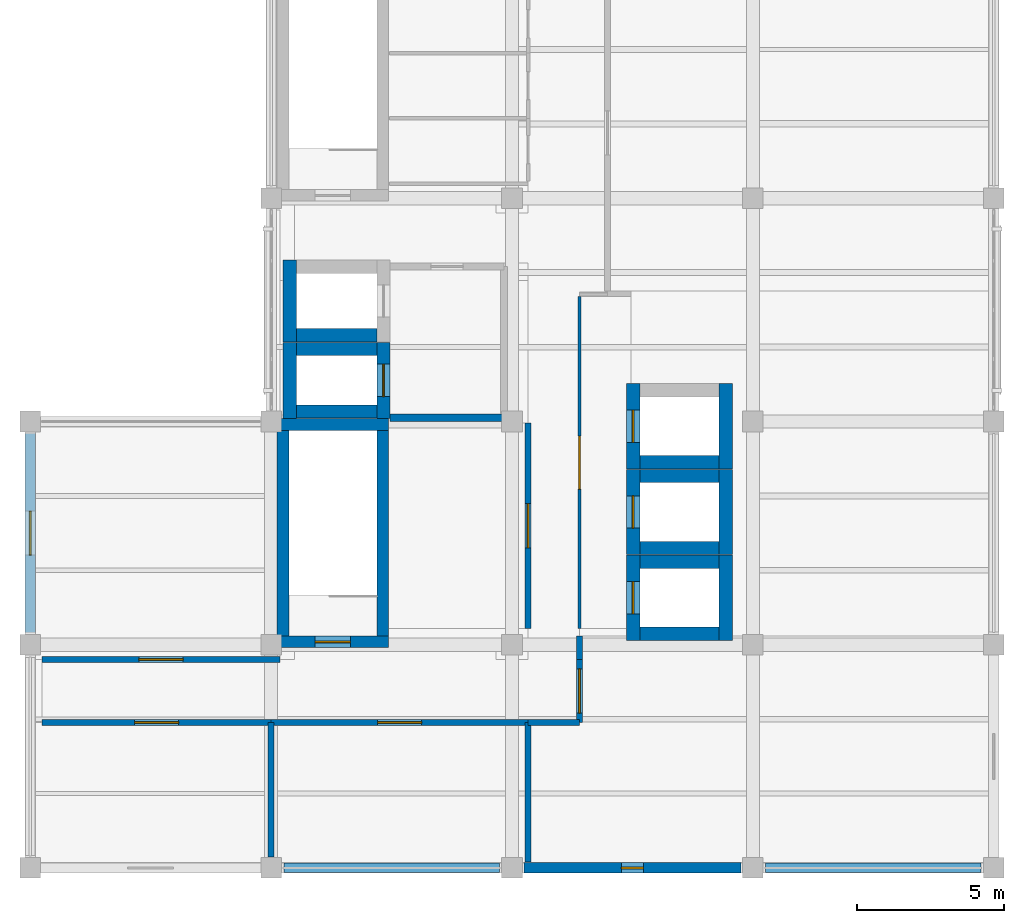
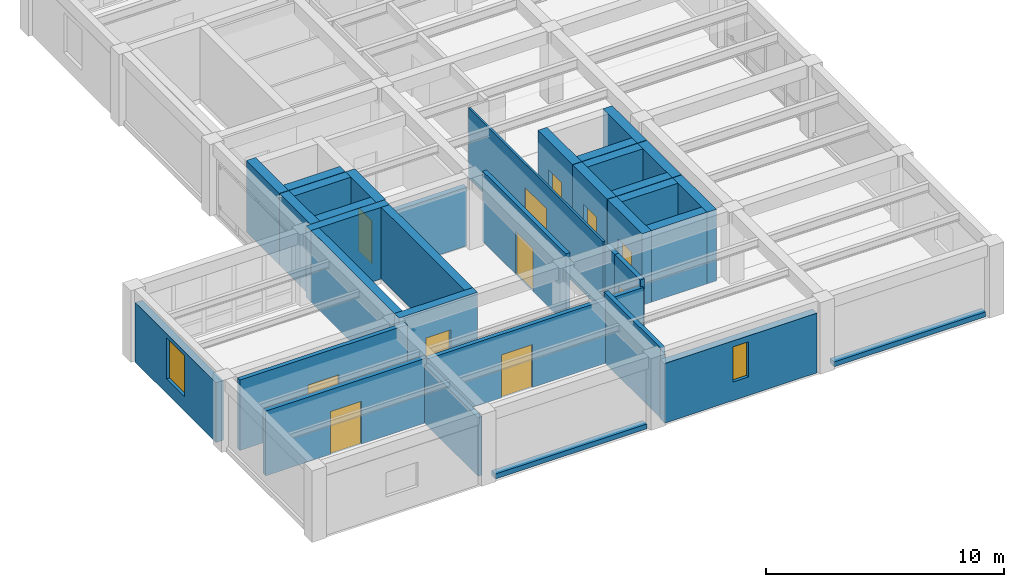
# One storey, part 6 of 8: 36 walls, 11 doors, 2 windows, 13 openings.
"""IFC4 building model written with IfcOpenShell, lengths in metres."""

import ifcopenshell
import ifcopenshell.guid

model = None  # the IFC model being written
_history = None  # IfcOwnerHistory: only IFC2X3 demands one
_inside = {}  # id of a spatial element -> (the spatial element, [elements in it])
_under = {}  # id of a project, library or spatial element -> (it, [spatial elements below it])
_declared = {}  # id of a project -> (the project, [libraries it declares])
_typed = {}  # id of a type object -> (the type object, [elements of that type])
_made_of = {}  # id of a material, layer set ... -> (it, [elements and type objects made of it])


def new_model(schema):
    """Start an empty IFC model of exactly this schema.

    Asked for "IFC4X3", IfcOpenShell would pick the latest addendum, in which some entities
    have other attributes; the version numbers below select the first issue.
    IFC2X3 requires an IfcOwnerHistory on every rooted entity: one is made here for all.
    """
    global model, _history
    if schema == "IFC4X3":
        model = ifcopenshell.file(schema_version=(4, 3, 0, 0))
    else:
        model = ifcopenshell.file(schema=schema)
    _inside.clear()
    _under.clear()
    _declared.clear()
    _typed.clear()
    _made_of.clear()
    _history = None
    if model.schema == "IFC2X3":
        org = make("IfcOrganization", Name="unknown")
        user = make(
            "IfcPersonAndOrganization",
            ThePerson=make("IfcPerson", FamilyName="unknown"),
            TheOrganization=org,
        )
        app = make(
            "IfcApplication",
            ApplicationDeveloper=org,
            Version="unknown",
            ApplicationFullName="unknown",
            ApplicationIdentifier="unknown",
        )
        _history = make(
            "IfcOwnerHistory",
            OwningUser=user,
            OwningApplication=app,
            ChangeAction="ADDED",
            CreationDate=0,
        )
    return model


def make(cls, **values):
    """One entity of the class cls with the attributes given. An attribute that is None is left unset."""
    return model.create_entity(
        cls, **{name: value for name, value in values.items() if value is not None}
    )


def rooted(cls, **values):
    """An entity with a GlobalId (a new one), such as an element, a storey or a relation."""
    return make(cls, GlobalId=ifcopenshell.guid.new(), OwnerHistory=_history, **values)


def si_unit(unit_type, name, prefix=None):
    """IfcSIUnit, for example si_unit("LENGTHUNIT", "METRE", prefix="MILLI")."""
    return make("IfcSIUnit", UnitType=unit_type, Prefix=prefix, Name=name)


def assignment(units):
    """IfcUnitAssignment: the units of a project."""
    return None if units is None else make("IfcUnitAssignment", Units=units)


def point(xyz):
    """IfcCartesianPoint."""
    return None if xyz is None else make("IfcCartesianPoint", Coordinates=xyz)


def direction(xyz):
    """IfcDirection."""
    return None if xyz is None else make("IfcDirection", DirectionRatios=xyz)


def frame(location, z_axis=None, x_axis=None):
    """IfcAxis2Placement3D, a coordinate frame: its origin and axes. An axis left out is left unset."""
    return make(
        "IfcAxis2Placement3D",
        Location=point(location),
        Axis=direction(z_axis),
        RefDirection=direction(x_axis),
    )


def frame_2d(location, x_axis=None):
    """IfcAxis2Placement2D, a coordinate frame in the plane: its origin and x axis."""
    return make(
        "IfcAxis2Placement2D", Location=point(location), RefDirection=direction(x_axis)
    )


def origin():
    """The frame at (0, 0, 0) with its axes left unset."""
    return frame((0.0, 0.0, 0.0))


def place(relative_to, where):
    """IfcLocalPlacement: puts the frame where relative to a parent placement (None: the world)."""
    return make(
        "IfcLocalPlacement", PlacementRelTo=relative_to, RelativePlacement=where
    )


def context(
    kind, dimensions, precision=None, world=None, true_north=None, identifier=None
):
    """IfcGeometricRepresentationContext, for example the 3D "Model" context."""
    return make(
        "IfcGeometricRepresentationContext",
        ContextIdentifier=identifier,
        ContextType=kind,
        CoordinateSpaceDimension=dimensions,
        Precision=precision,
        WorldCoordinateSystem=world,
        TrueNorth=true_north,
    )


def subcontext(parent, identifier, kind, view, scale=None):
    """IfcGeometricRepresentationSubContext, for example "Body" below "Model"."""
    return make(
        "IfcGeometricRepresentationSubContext",
        ContextIdentifier=identifier,
        ContextType=kind,
        ParentContext=parent,
        TargetScale=scale,
        TargetView=view,
    )


def project(units=None, contexts=None):
    """IfcProject with its units and contexts."""
    return rooted(
        "IfcProject",
        Name="project",
        RepresentationContexts=contexts,
        UnitsInContext=assignment(units),
    )


def spatial(cls, under=None, at=None, **own):
    """A site, building, storey or space (cls), placed at a placement, below another one or the project."""
    s = rooted(cls, ObjectPlacement=at, **own)
    if under is not None:
        _under.setdefault(under.id(), (under, []))[1].append(s)
    return s


def profile(cls, at=None, kind="AREA", **sizes):
    """A parametric profile (cls). Its sizes go by their IFC names, for example OverallWidth=200.0."""
    return make(cls, ProfileType=kind, Position=at, **sizes)


def rectangle(**sizes):
    """IfcRectangleProfileDef."""
    return profile("IfcRectangleProfileDef", **sizes)


def extrude(swept, where, along, depth):
    """IfcExtrudedAreaSolid: the profile swept, set in the frame where, extruded along a direction by depth."""
    return make(
        "IfcExtrudedAreaSolid",
        SweptArea=swept,
        Position=where,
        ExtrudedDirection=direction(along),
        Depth=depth,
    )


def shape(context_of_items, identifier, shape_type, items):
    """IfcShapeRepresentation: the items that make up one representation, for example the "Body"."""
    return make(
        "IfcShapeRepresentation",
        ContextOfItems=context_of_items,
        RepresentationIdentifier=identifier,
        RepresentationType=shape_type,
        Items=items,
    )


def material(Name=None, Category=None):
    """IfcMaterial."""
    return make("IfcMaterial", Name=Name, Category=Category)


def layer(
    of_material, thickness, ventilated=None, Name=None, Category=None, Priority=None
):
    """IfcMaterialLayer: one layer of a wall or slab, of a material (None: an air gap)."""
    return make(
        "IfcMaterialLayer",
        Material=of_material,
        LayerThickness=thickness,
        IsVentilated=ventilated,
        Name=Name,
        Category=Category,
        Priority=Priority,
    )


def layer_set(layers, Name=None):
    """IfcMaterialLayerSet."""
    return make("IfcMaterialLayerSet", MaterialLayers=layers, LayerSetName=Name)


def made_of(thing, what):
    """Note that an element or type object is made of a material, layer set ...; save() writes the relation."""
    if what is not None:
        _made_of.setdefault(what.id(), (what, []))[1].append(thing)
    return thing


def type_object(cls, material=None, **own):
    """A type object (cls), such as IfcWallType, which elements share."""
    return made_of(rooted(cls, **own), material)


def element(
    cls,
    number,
    at=None,
    inside=None,
    cuts=None,
    type_object=None,
    material=None,
    context=None,
    identifier="Body",
    shape_type=None,
    held_by="IfcProductDefinitionShape",
    body=None,
    shapes=None,
    **own,
):
    """One element of the class cls, such as IfcWall. Its Tag is "e" and its number.

    at: its placement. inside: the storey or other place that contains it. cuts: it is an
    opening in that element (IfcRelVoidsElement). A single representation is given by context,
    identifier, shape_type and body (its items); several are given by shapes. held_by: the class
    of the entity that holds the representations. save() writes the other relations.
    """
    e = rooted(cls, Tag="e%d" % number, ObjectPlacement=at, **own)
    if body is not None:
        shapes = [shape(context, identifier, shape_type, body)]
    if shapes is not None:
        e.Representation = make(held_by, Representations=shapes)
    if inside is not None:
        _inside.setdefault(inside.id(), (inside, []))[1].append(e)
    if cuts is not None:
        rooted(
            "IfcRelVoidsElement", RelatingBuildingElement=cuts, RelatedOpeningElement=e
        )
    if type_object is not None:
        _typed.setdefault(type_object.id(), (type_object, []))[1].append(e)
    return made_of(e, material)


def fill(opening, filler):
    """IfcRelFillsElement: the door or window that sits in an opening."""
    return rooted(
        "IfcRelFillsElement",
        RelatingOpeningElement=opening,
        RelatedBuildingElement=filler,
    )


def aggregate(whole, parts):
    """IfcRelAggregates: a whole, such as a stair, and the parts it consists of."""
    return rooted("IfcRelAggregates", RelatingObject=whole, RelatedObjects=parts)


def save(model, path):
    """Write the relations noted so far, then the file.

    IfcRelAggregates (storeys below a building ...), IfcRelContainedInSpatialStructure (elements
    in a storey), IfcRelDefinesByType, IfcRelAssociatesMaterial and IfcRelDeclares: one each for
    every whole, place, type object, material and project.
    """
    for whole, parts in _under.values():
        aggregate(whole, parts)
    for where, things in _inside.values():
        rooted(
            "IfcRelContainedInSpatialStructure",
            RelatedElements=things,
            RelatingStructure=where,
        )
    for kind, things in _typed.values():
        rooted("IfcRelDefinesByType", RelatedObjects=things, RelatingType=kind)
    for what, things in _made_of.values():
        rooted("IfcRelAssociatesMaterial", RelatedObjects=things, RelatingMaterial=what)
    for by, libraries in _declared.values():
        rooted("IfcRelDeclares", RelatingContext=by, RelatedDefinitions=libraries)
    model.write(path)


model = new_model("IFC4")

# Units and contexts
model_context = context("Model", 3, precision=1e-05, world=origin(), true_north=direction((0.0, 1.0)))
body_context = subcontext(model_context, "Body", "Model", "MODEL_VIEW")
ifc_project = project(units=[si_unit("LENGTHUNIT", "METRE"), si_unit("AREAUNIT", "SQUARE_METRE"), si_unit("VOLUMEUNIT", "CUBIC_METRE"), si_unit("PLANEANGLEUNIT", "RADIAN"), si_unit("MASSUNIT", "GRAM", prefix="KILO")], contexts=[model_context])

# Site, building, storey
site_placement = place(None, origin())
site = spatial("IfcSite", under=ifc_project, at=site_placement, CompositionType="ELEMENT")
building_placement = place(site_placement, origin())
building = spatial("IfcBuilding", under=site, at=building_placement, Name="Qandaris Square Conservatory and Botanical Centre", CompositionType="ELEMENT")
storey_placement = place(building_placement, frame((0.0, 0.0, 70.199951171875)))
storey = spatial("IfcBuildingStorey", under=building, at=storey_placement, Name="L16", CompositionType="ELEMENT", Elevation=70.199951171875)

# Wall, opening, window
ifc_material_1 = material(Name="Precast concrete C40/50", Category="concrete")
ifc_layer_1 = layer(ifc_material_1, 0.360107421875)
ifc_layer_set_1 = layer_set([ifc_layer_1], Name="Precast concrete C40/50")
wall_type_1 = type_object("IfcWallType", Name="Architectural Precast Cladding Wall 360mm", PredefinedType="SOLIDWALL", material=ifc_layer_set_1)
wall_1_placement = place(storey_placement, frame((147.81005859375, 16.60009765625, 0.0), z_axis=(0.0, 0.0, 1.0), x_axis=(1.0, 0.0, 0.0)))
wall_1 = element("IfcWall", 1, at=wall_1_placement, inside=storey, type_object=wall_type_1, Name="Exterior Wall EW-TWR-L16-1-3", PredefinedType="SOLIDWALL", context=body_context, shape_type="SweptSolid", body=[
    extrude(rectangle(XDim=7.3798828125, YDim=0.360107421875, at=frame_2d((3.68994140625, 0.0))), origin(), (0.0, 0.0, 1.0), 3.054931640625),
])
opening_1_placement = place(wall_1_placement, frame((3.31494140625, 0.0, 0.949951171875)))
opening_1 = element("IfcOpeningElement", 2, at=opening_1_placement, cuts=wall_1, Name="Opening WN-03", PredefinedType="OPENING", context=body_context, shape_type="SweptSolid", body=[
    extrude(rectangle(XDim=0.75, YDim=1.800048828125, at=frame_2d((0.375, 0.89990234375))), frame((0.0, 0.19189453125, 0.0), z_axis=(0.0, -1.0, 0.0), x_axis=(1.0, 0.0, 0.0)), (0.0, 0.0, 1.0), 0.384033203125),
])
ifc_material_2 = material(Name="Tempered Low-E Glass", Category="glass")
window_type_1 = type_object("IfcWindowType", Name="Herbarium UV-Filtered Slot Window 750x1800", PartitioningType="SINGLE_PANEL", PredefinedType="WINDOW", material=ifc_material_2)
window_1_placement = place(opening_1_placement, origin())
window_1 = element("IfcWindow", 3, at=window_1_placement, inside=storey, type_object=window_type_1, Name="Window EW-TWR-L16-1-3", OverallHeight=1.800048828125, OverallWidth=0.75, PartitioningType="SINGLE_PANEL", PredefinedType="WINDOW", context=body_context, shape_type="SweptSolid", body=[
    extrude(rectangle(XDim=0.75, YDim=1.800048828125, at=frame_2d((0.375, 0.89990234375))), frame((0.0, 0.030029296875, 0.0), z_axis=(0.0, -1.0, 0.0), x_axis=(1.0, 0.0, 0.0)), (0.0, 0.0, 1.0), 0.06005859375),
])
fill(opening_1, window_1)

wall_2_placement = place(storey_placement, frame((131.0, 31.389892578125, 0.0), z_axis=(0.0, 0.0, 1.0), x_axis=(0.0, -1.0, 0.0)))
wall_2 = element("IfcWall", 4, at=wall_2_placement, inside=storey, type_object=wall_type_1, Name="Exterior Wall EW-TWR-L16-6-1", PredefinedType="SOLIDWALL", context=body_context, shape_type="SweptSolid", body=[
    extrude(rectangle(XDim=6.77978515625, YDim=0.360107421875, at=frame_2d((3.389892578125, 0.0))), origin(), (0.0, 0.0, 1.0), 3.054931640625),
])
opening_2_placement = place(wall_2_placement, frame((2.639892578125, 0.0, 0.75)))
opening_2 = element("IfcOpeningElement", 5, at=opening_2_placement, cuts=wall_2, Name="Opening WN-02", PredefinedType="OPENING", context=body_context, shape_type="SweptSolid", body=[
    extrude(rectangle(XDim=1.5, YDim=2.10009765625, at=frame_2d((0.75, 1.050048828125))), frame((0.0, 0.19189453125, 0.0), z_axis=(0.0, -1.0, 0.0), x_axis=(1.0, 0.0, 0.0)), (0.0, 0.0, 1.0), 0.384033203125),
])
window_type_2 = type_object("IfcWindowType", Name="Deep-Set Paired Research Window 1500x2100", PartitioningType="DOUBLE_PANEL_VERTICAL", PredefinedType="WINDOW", material=ifc_material_2)
window_2_placement = place(opening_2_placement, origin())
window_2 = element("IfcWindow", 6, at=window_2_placement, inside=storey, type_object=window_type_2, Name="Window EW-TWR-L16-6-1", OverallHeight=2.10009765625, OverallWidth=1.5, PartitioningType="DOUBLE_PANEL_VERTICAL", PredefinedType="WINDOW", context=body_context, shape_type="SweptSolid", body=[
    extrude(rectangle(XDim=1.5, YDim=2.10009765625, at=frame_2d((0.75, 1.050048828125))), frame((0.0, 0.030029296875, 0.0), z_axis=(0.0, -1.0, 0.0), x_axis=(1.0, 0.0, 0.0)), (0.0, 0.0, 1.0), 0.06005859375),
])
fill(opening_2, window_2)

# Wall
ifc_material_3 = material(Name="Concrete C40/50", Category="concrete")
ifc_layer_2 = layer(ifc_material_3, 0.25)
ifc_layer_set_2 = layer_set([ifc_layer_2], Name="Concrete C40/50")
wall_type_2 = type_object("IfcWallType", Name="Firefighting Lobby Compartment Wall 250mm", PredefinedType="SOLIDWALL", material=ifc_layer_set_2)
wall_3_placement = place(storey_placement, frame((143.25, 31.925048828125, 0.0), z_axis=(0.0, 0.0, 1.0), x_axis=(1.0, 0.0, 0.0)))
element("IfcWall", 7, at=wall_3_placement, inside=storey, type_object=wall_type_2, Name="Firefighting Lobby Wall South (L16)", PredefinedType="SOLIDWALL", context=body_context, shape_type="SweptSolid", body=[
    extrude(rectangle(XDim=3.875, YDim=0.25, at=frame_2d((1.9375, 0.0))), origin(), (0.0, 0.0, 1.0), 3.005126953125),
])

# Wall, opening, door
ifc_layer_3 = layer(ifc_material_2, 0.10009765625)
ifc_layer_set_3 = layer_set([ifc_layer_3], Name="Tempered Low-E Glass")
wall_type_3 = type_object("IfcWallType", Name="Framed Acoustic Glazed Gallery Screen 100mm", PredefinedType="PARTITIONING", material=ifc_layer_set_3)
wall_4_placement = place(storey_placement, frame((149.699951171875, 24.75, 0.0), z_axis=(0.0, 0.0, 1.0), x_axis=(0.0, 1.0, 0.0)))
wall_4 = element("IfcWall", 8, at=wall_4_placement, inside=storey, type_object=wall_type_3, Name="Interior Partition IW-L16-0488", PredefinedType="PARTITIONING", context=body_context, shape_type="SweptSolid", body=[
    extrude(rectangle(XDim=11.300048828125, YDim=0.10009765625, at=frame_2d((5.64990234375, 0.0))), origin(), (0.0, 0.0, 1.0), 3.60498046875),
])
opening_3_placement = place(wall_4_placement, frame((4.75, 0.0, 0.0)))
opening_3 = element("IfcOpeningElement", 9, at=opening_3_placement, cuts=wall_4, Name="Opening D-GL1", PredefinedType="OPENING", context=body_context, shape_type="SweptSolid", body=[
    extrude(rectangle(XDim=1.800048828125, YDim=2.39990234375, at=frame_2d((0.89990234375, 1.199951171875))), frame((0.0, 0.06201171875, 0.0), z_axis=(0.0, -1.0, 0.0), x_axis=(1.0, 0.0, 0.0)), (0.0, 0.0, 1.0), 0.1240234375),
])
ifc_material_4 = material(Name="Anodised Aluminium", Category="aluminium")
door_type_1 = type_object("IfcDoorType", Name="Visitor Gallery Glazed Double Door 1800x2400", OperationType="DOUBLE_DOOR_SINGLE_SWING", PredefinedType="DOOR", material=ifc_material_4)
door_1_placement = place(opening_3_placement, frame((1.800048828125, 0.0, 0.0), z_axis=(0.0, 0.0, 1.0), x_axis=(-1.0, 0.0, 0.0)))
door_1 = element("IfcDoor", 10, at=door_1_placement, inside=storey, type_object=door_type_1, Name="DR-0449 Main Circulation Corridor L16 Door", OperationType="DOUBLE_DOOR_SINGLE_SWING", OverallHeight=2.39990234375, OverallWidth=1.800048828125, PredefinedType="DOOR", context=body_context, shape_type="SweptSolid", body=[
    extrude(rectangle(XDim=1.800048828125, YDim=2.39990234375, at=frame_2d((0.89990234375, 1.199951171875))), frame((0.0, 0.02490234375, 0.0), z_axis=(0.0, -1.0, 0.0), x_axis=(1.0, 0.0, 0.0)), (0.0, 0.0, 1.0), 0.050048828125),
])
fill(opening_3, door_1)

ifc_layer_4 = layer(ifc_material_3, 0.199951171875)
ifc_layer_set_4 = layer_set([ifc_layer_4], Name="Concrete C40/50")
wall_type_4 = type_object("IfcWallType", Name="Herbarium & Plant Compartment Wall 200mm", PredefinedType="PARTITIONING", material=ifc_layer_set_4)
wall_5_placement = place(storey_placement, frame((147.949951171875, 31.75, 0.0), z_axis=(0.0, 0.0, 1.0), x_axis=(0.0, -1.0, 0.0)))
wall_5 = element("IfcWall", 11, at=wall_5_placement, inside=storey, type_object=wall_type_4, Name="Interior Partition IW-L16-0487", PredefinedType="PARTITIONING", context=body_context, shape_type="SweptSolid", body=[
    extrude(rectangle(XDim=7.0, YDim=0.199951171875, at=frame_2d((3.5, 0.0))), origin(), (0.0, 0.0, 1.0), 3.60498046875),
])
opening_4_placement = place(wall_5_placement, frame((2.75, 0.0, 0.0)))
opening_4 = element("IfcOpeningElement", 12, at=opening_4_placement, cuts=wall_5, Name="Opening D-PLT1", PredefinedType="OPENING", context=body_context, shape_type="SweptSolid", body=[
    extrude(rectangle(XDim=1.5, YDim=2.199951171875, at=frame_2d((0.75, 1.10009765625))), frame((0.0, 0.11181640625, 0.0), z_axis=(0.0, -1.0, 0.0), x_axis=(1.0, 0.0, 0.0)), (0.0, 0.0, 1.0), 0.223876953125),
])
ifc_material_5 = material(Name="Steel S355", Category="steel")
door_type_2 = type_object("IfcDoorType", Name="Plant & Riser Double Fire Door 1500x2200", OperationType="DOUBLE_DOOR_SINGLE_SWING", PredefinedType="DOOR", material=ifc_material_5)
door_2_placement = place(opening_4_placement, origin())
door_2 = element("IfcDoor", 13, at=door_2_placement, inside=storey, type_object=door_type_2, Name="DR-0452 Electrical and Telecom Riser Room L16 Door", OperationType="DOUBLE_DOOR_SINGLE_SWING", OverallHeight=2.199951171875, OverallWidth=1.5, PredefinedType="DOOR", context=body_context, shape_type="SweptSolid", body=[
    extrude(rectangle(XDim=1.5, YDim=2.199951171875, at=frame_2d((0.75, 1.10009765625))), frame((0.0, 0.02490234375, 0.0), z_axis=(0.0, -1.0, 0.0), x_axis=(1.0, 0.0, 0.0)), (0.0, 0.0, 1.0), 0.050048828125),
])
fill(opening_4, door_2)

wall_6_placement = place(storey_placement, frame((139.199951171875, 21.550048828125, 0.0), z_axis=(0.0, 0.0, 1.0), x_axis=(-1.0, 0.0, 0.0)))
wall_6 = element("IfcWall", 14, at=wall_6_placement, inside=storey, type_object=wall_type_4, Name="Interior Partition IW-L16-0496", PredefinedType="PARTITIONING", context=body_context, shape_type="SweptSolid", body=[
    extrude(rectangle(XDim=7.800048828125, YDim=0.199951171875, at=frame_2d((3.89990234375, 0.0))), origin(), (0.0, 0.0, 1.0), 3.31494140625),
])
opening_5_placement = place(wall_6_placement, frame((3.14990234375, 0.0, 0.0)))
opening_5 = element("IfcOpeningElement", 15, at=opening_5_placement, cuts=wall_6, Name="Opening D-PLT1", PredefinedType="OPENING", context=body_context, shape_type="SweptSolid", body=[
    extrude(rectangle(XDim=1.5, YDim=2.199951171875, at=frame_2d((0.75, 1.10009765625))), frame((0.0, 0.11181640625, 0.0), z_axis=(0.0, -1.0, 0.0), x_axis=(1.0, 0.0, 0.0)), (0.0, 0.0, 1.0), 0.223876953125),
])
door_3_placement = place(opening_5_placement, origin())
door_3 = element("IfcDoor", 16, at=door_3_placement, inside=storey, type_object=door_type_2, Name="DR-0453 Mechanical AHU Plant Research Laboratory Door", OperationType="DOUBLE_DOOR_SINGLE_SWING", OverallHeight=2.199951171875, OverallWidth=1.5, PredefinedType="DOOR", context=body_context, shape_type="SweptSolid", body=[
    extrude(rectangle(XDim=1.5, YDim=2.199951171875, at=frame_2d((0.75, 1.10009765625))), frame((0.0, 0.02490234375, 0.0), z_axis=(0.0, -1.0, 0.0), x_axis=(1.0, 0.0, 0.0)), (0.0, 0.0, 1.0), 0.050048828125),
])
fill(opening_5, door_3)

wall_7_placement = place(storey_placement, frame((147.949951171875, 21.550048828125, 0.0), z_axis=(0.0, 0.0, 1.0), x_axis=(-1.0, 0.0, 0.0)))
wall_7 = element("IfcWall", 17, at=wall_7_placement, inside=storey, type_object=wall_type_4, Name="Interior Partition IW-L16-0497", PredefinedType="PARTITIONING", context=body_context, shape_type="SweptSolid", body=[
    extrude(rectangle(XDim=8.75, YDim=0.199951171875, at=frame_2d((4.375, 0.0))), origin(), (0.0, 0.0, 1.0), 3.2451171875),
])
opening_6_placement = place(wall_7_placement, frame((3.625, 0.0, 0.0)))
opening_6 = element("IfcOpeningElement", 18, at=opening_6_placement, cuts=wall_7, Name="Opening D-PLT1", PredefinedType="OPENING", context=body_context, shape_type="SweptSolid", body=[
    extrude(rectangle(XDim=1.5, YDim=2.199951171875, at=frame_2d((0.75, 1.10009765625))), frame((0.0, 0.11181640625, 0.0), z_axis=(0.0, -1.0, 0.0), x_axis=(1.0, 0.0, 0.0)), (0.0, 0.0, 1.0), 0.223876953125),
])
door_4_placement = place(opening_6_placement, frame((1.5, 0.0, 0.0), z_axis=(0.0, 0.0, 1.0), x_axis=(-1.0, 0.0, 0.0)))
door_4 = element("IfcDoor", 19, at=door_4_placement, inside=storey, type_object=door_type_2, Name="DR-0454 Heat Recovery Plant Suite Door", OperationType="DOUBLE_DOOR_SINGLE_SWING", OverallHeight=2.199951171875, OverallWidth=1.5, PredefinedType="DOOR", context=body_context, shape_type="SweptSolid", body=[
    extrude(rectangle(XDim=1.5, YDim=2.199951171875, at=frame_2d((0.75, 1.10009765625))), frame((0.0, 0.02490234375, 0.0), z_axis=(0.0, -1.0, 0.0), x_axis=(1.0, 0.0, 0.0)), (0.0, 0.0, 1.0), 0.050048828125),
])
fill(opening_6, door_4)

wall_8_placement = place(storey_placement, frame((131.39990234375, 23.699951171875, 0.0), z_axis=(0.0, 0.0, 1.0), x_axis=(1.0, 0.0, 0.0)))
wall_8 = element("IfcWall", 20, at=wall_8_placement, inside=storey, type_object=wall_type_4, Name="Interior Partition IW-L16-0498", PredefinedType="PARTITIONING", context=body_context, shape_type="SweptSolid", body=[
    extrude(rectangle(XDim=8.10009765625, YDim=0.199951171875, at=frame_2d((4.050048828125, 0.0))), origin(), (0.0, 0.0, 1.0), 3.60498046875),
])
opening_7_placement = place(wall_8_placement, frame((3.300048828125, 0.0, 0.0)))
opening_7 = element("IfcOpeningElement", 21, at=opening_7_placement, cuts=wall_8, Name="Opening D-PLT1", PredefinedType="OPENING", context=body_context, shape_type="SweptSolid", body=[
    extrude(rectangle(XDim=1.5, YDim=2.199951171875, at=frame_2d((0.75, 1.10009765625))), frame((0.0, 0.11181640625, 0.0), z_axis=(0.0, -1.0, 0.0), x_axis=(1.0, 0.0, 0.0)), (0.0, 0.0, 1.0), 0.223876953125),
])
door_5_placement = place(opening_7_placement, origin())
door_5 = element("IfcDoor", 22, at=door_5_placement, inside=storey, type_object=door_type_2, Name="DR-0455 Building Management Research Laboratory Door", OperationType="DOUBLE_DOOR_SINGLE_SWING", OverallHeight=2.199951171875, OverallWidth=1.5, PredefinedType="DOOR", context=body_context, shape_type="SweptSolid", body=[
    extrude(rectangle(XDim=1.5, YDim=2.199951171875, at=frame_2d((0.75, 1.10009765625))), frame((0.0, 0.02490234375, 0.0), z_axis=(0.0, -1.0, 0.0), x_axis=(1.0, 0.0, 0.0)), (0.0, 0.0, 1.0), 0.050048828125),
])
fill(opening_7, door_5)

# Wall
wall_9_placement = place(storey_placement, frame((149.699951171875, 24.5, 0.0), z_axis=(0.0, 0.0, 1.0), x_axis=(0.0, -1.0, 0.0)))
element("IfcWall", 23, at=wall_9_placement, inside=storey, type_object=wall_type_4, Name="Interior Partition IW-L16-0499", PredefinedType="PARTITIONING", context=body_context, shape_type="SweptSolid", body=[
    extrude(rectangle(XDim=0.800048828125, YDim=0.199951171875, at=frame_2d((0.39990234375, 0.0))), origin(), (0.0, 0.0, 1.0), 3.60498046875),
])

# Wall, opening, door
wall_10_placement = place(storey_placement, frame((149.699951171875, 23.699951171875, 0.0), z_axis=(0.0, 0.0, 1.0), x_axis=(0.0, -1.0, 0.0)))
wall_10 = element("IfcWall", 24, at=wall_10_placement, inside=storey, type_object=wall_type_4, Name="Interior Partition IW-L16-0500", PredefinedType="PARTITIONING", context=body_context, shape_type="SweptSolid", body=[
    extrude(rectangle(XDim=2.14990234375, YDim=0.199951171875, at=frame_2d((1.074951171875, 0.0))), origin(), (0.0, 0.0, 1.0), 3.60498046875),
])
opening_8_placement = place(wall_10_placement, frame((0.324951171875, 0.0, 0.0)))
opening_8 = element("IfcOpeningElement", 25, at=opening_8_placement, cuts=wall_10, Name="Opening D-PLT1", PredefinedType="OPENING", context=body_context, shape_type="SweptSolid", body=[
    extrude(rectangle(XDim=1.5, YDim=2.199951171875, at=frame_2d((0.75, 1.10009765625))), frame((0.0, 0.11181640625, 0.0), z_axis=(0.0, -1.0, 0.0), x_axis=(1.0, 0.0, 0.0)), (0.0, 0.0, 1.0), 0.223876953125),
])
door_6_placement = place(opening_8_placement, frame((1.5, 0.0, 0.0), z_axis=(0.0, 0.0, 1.0), x_axis=(-1.0, 0.0, 0.0)))
door_6 = element("IfcDoor", 26, at=door_6_placement, inside=storey, type_object=door_type_2, Name="DR-0456 Floor L16 Instrument and Balance Room Door", OperationType="DOUBLE_DOOR_SINGLE_SWING", OverallHeight=2.199951171875, OverallWidth=1.5, PredefinedType="DOOR", context=body_context, shape_type="SweptSolid", body=[
    extrude(rectangle(XDim=1.5, YDim=2.199951171875, at=frame_2d((0.75, 1.10009765625))), frame((0.0, 0.02490234375, 0.0), z_axis=(0.0, -1.0, 0.0), x_axis=(1.0, 0.0, 0.0)), (0.0, 0.0, 1.0), 0.050048828125),
])
fill(opening_8, door_6)

# Walls
wall_11_placement = place(storey_placement, frame((149.699951171875, 21.550048828125, 0.0), z_axis=(0.0, 0.0, 1.0), x_axis=(-1.0, 0.0, 0.0)))
element("IfcWall", 27, at=wall_11_placement, inside=storey, type_object=wall_type_4, Name="Interior Partition IW-L16-0501", PredefinedType="PARTITIONING", context=body_context, shape_type="SweptSolid", body=[
    extrude(rectangle(XDim=1.75, YDim=0.199951171875, at=frame_2d((0.875, 0.0))), origin(), (0.0, 0.0, 1.0), 3.2451171875),
])
wall_12_placement = place(storey_placement, frame((139.199951171875, 21.550048828125, 0.0), z_axis=(0.0, 0.0, 1.0), x_axis=(0.0, -1.0, 0.0)))
element("IfcWall", 28, at=wall_12_placement, inside=storey, type_object=wall_type_4, Name="Interior Partition IW-L16-0506", PredefinedType="PARTITIONING", context=body_context, shape_type="SweptSolid", body=[
    extrude(rectangle(XDim=4.580078125, YDim=0.199951171875, at=frame_2d((2.2900390625, 0.0))), origin(), (0.0, 0.0, 1.0), 3.005126953125),
])
wall_13_placement = place(storey_placement, frame((147.949951171875, 21.550048828125, 0.0), z_axis=(0.0, 0.0, 1.0), x_axis=(0.0, -1.0, 0.0)))
element("IfcWall", 29, at=wall_13_placement, inside=storey, type_object=wall_type_4, Name="Interior Partition IW-L16-0507", PredefinedType="PARTITIONING", context=body_context, shape_type="SweptSolid", body=[
    extrude(rectangle(XDim=4.739990234375, YDim=0.199951171875, at=frame_2d((2.3701171875, 0.0))), origin(), (0.0, 0.0, 1.0), 3.60498046875),
])
ifc_material_6 = material(Name="Concrete C50/60", Category="concrete")
ifc_layer_5 = layer(ifc_material_6, 0.449951171875)
ifc_layer_set_5 = layer_set([ifc_layer_5], Name="Concrete C50/60")
wall_type_5 = type_object("IfcWallType", Name="RC Coupled Core Shear Wall 450mm", PredefinedType="SHEAR", material=ifc_layer_set_5)
for number, where, z_axis, x_axis, name in (
    (30, (140.06005859375, 32.135009765625, 0.0), (0.0, 0.0, 1.0), (1.0, 0.0, 0.0), "Lift FFL1 Shaft Wall South (L16)"),
    (31, (140.06005859375, 34.264892578125, 0.0), (0.0, 0.0, 1.0), (1.0, 0.0, 0.0), "Lift FFL1 Shaft Wall North (L16)"),
):
    element("IfcWall", number, at=place(storey_placement, frame(where, z_axis=z_axis, x_axis=x_axis)), inside=storey, type_object=wall_type_5, Name=name, PredefinedType="SHEAR", context=body_context, shape_type="SweptSolid", body=[
        extrude(rectangle(XDim=2.739990234375, YDim=0.449951171875, at=frame_2d((1.3701171875, 0.0))), origin(), (0.0, 0.0, 1.0), 3.670166015625),
    ])
wall_14_placement = place(storey_placement, frame((139.8349609375, 31.909912109375, 0.0), z_axis=(0.0, 0.0, 1.0), x_axis=(0.0, 1.0, 0.0)))
element("IfcWall", 32, at=wall_14_placement, inside=storey, type_object=wall_type_5, Name="Lift FFL1 Shaft Wall West (L16)", PredefinedType="SHEAR", context=body_context, shape_type="SweptSolid", body=[
    extrude(rectangle(XDim=2.580078125, YDim=0.449951171875, at=frame_2d((1.2900390625, 0.0))), origin(), (0.0, 0.0, 1.0), 3.670166015625),
])

# Wall, opening, door
wall_15_placement = place(storey_placement, frame((143.02490234375, 31.909912109375, 0.0), z_axis=(0.0, 0.0, 1.0), x_axis=(0.0, 1.0, 0.0)))
wall_15 = element("IfcWall", 33, at=wall_15_placement, inside=storey, type_object=wall_type_5, Name="Lift FFL1 Shaft Wall East (L16)", PredefinedType="SHEAR", context=body_context, shape_type="SweptSolid", body=[
    extrude(rectangle(XDim=2.580078125, YDim=0.449951171875, at=frame_2d((1.2900390625, 0.0))), origin(), (0.0, 0.0, 1.0), 3.670166015625),
])
opening_9_placement = place(wall_15_placement, frame((0.739990234375, 0.0, 0.0)))
opening_9 = element("IfcOpeningElement", 34, at=opening_9_placement, cuts=wall_15, Name="Opening LD-FFL", PredefinedType="OPENING", context=body_context, shape_type="SweptSolid", body=[
    extrude(rectangle(XDim=1.10009765625, YDim=2.199951171875, at=frame_2d((0.550048828125, 1.10009765625))), frame((0.0, 0.23681640625, 0.0), z_axis=(0.0, -1.0, 0.0), x_axis=(1.0, 0.0, 0.0)), (0.0, 0.0, 1.0), 0.473876953125),
])
door_type_3 = type_object("IfcDoorType", Name="Firefighting Lift Sliding Landing Door 1100x2200", OperationType="DOUBLE_DOOR_SLIDING", PredefinedType="DOOR", material=ifc_material_5)
door_7_placement = place(opening_9_placement, origin())
door_7 = element("IfcDoor", 35, at=door_7_placement, inside=storey, type_object=door_type_3, Name="DR-0463 Lift FFL1 Landing Door (L16)", OperationType="DOUBLE_DOOR_SLIDING", OverallHeight=2.199951171875, OverallWidth=1.10009765625, PredefinedType="DOOR", context=body_context, shape_type="SweptSolid", body=[
    extrude(rectangle(XDim=1.10009765625, YDim=2.199951171875, at=frame_2d((0.550048828125, 1.10009765625))), frame((0.0, 0.02490234375, 0.0), z_axis=(0.0, -1.0, 0.0), x_axis=(1.0, 0.0, 0.0)), (0.0, 0.0, 1.0), 0.050048828125),
])
fill(opening_9, door_7)

# Walls
wall_16_placement = place(storey_placement, frame((140.06005859375, 34.735107421875, 0.0), z_axis=(0.0, 0.0, 1.0), x_axis=(1.0, 0.0, 0.0)))
element("IfcWall", 36, at=wall_16_placement, inside=storey, type_object=wall_type_5, Name="Lift FFL2 Shaft Wall South (L16)", PredefinedType="SHEAR", context=body_context, shape_type="SweptSolid", body=[
    extrude(rectangle(XDim=2.739990234375, YDim=0.449951171875, at=frame_2d((1.3701171875, 0.0))), origin(), (0.0, 0.0, 1.0), 3.670166015625),
])
wall_17_placement = place(storey_placement, frame((139.8349609375, 34.510009765625, 0.0), z_axis=(0.0, 0.0, 1.0), x_axis=(0.0, 1.0, 0.0)))
element("IfcWall", 37, at=wall_17_placement, inside=storey, type_object=wall_type_5, Name="Lift FFL2 Shaft Wall West (L16)", PredefinedType="SHEAR", context=body_context, shape_type="SweptSolid", body=[
    extrude(rectangle(XDim=2.780029296875, YDim=0.449951171875, at=frame_2d((1.39013671875, 0.0))), origin(), (0.0, 0.0, 1.0), 3.670166015625),
])
for number, where, z_axis, x_axis, name in (
    (38, (151.75, 24.574951171875, 0.0), (0.0, 0.0, 1.0), (1.0, 0.0, 0.0), "Lift PL1 Shaft Wall South (L16)"),
    (39, (151.75, 27.02490234375, 0.0), (0.0, 0.0, 1.0), (1.0, 0.0, 0.0), "Lift PL1 Shaft Wall North (L16)"),
):
    element("IfcWall", number, at=place(storey_placement, frame(where, z_axis=z_axis, x_axis=x_axis)), inside=storey, type_object=wall_type_5, Name=name, PredefinedType="SHEAR", context=body_context, shape_type="SweptSolid", body=[
        extrude(rectangle(XDim=2.699951171875, YDim=0.449951171875, at=frame_2d((1.35009765625, 0.0))), origin(), (0.0, 0.0, 1.0), 3.670166015625),
    ])

# Wall, opening, door
wall_18_placement = place(storey_placement, frame((151.52490234375, 24.35009765625, 0.0), z_axis=(0.0, 0.0, 1.0), x_axis=(0.0, 1.0, 0.0)))
wall_18 = element("IfcWall", 40, at=wall_18_placement, inside=storey, type_object=wall_type_5, Name="Lift PL1 Shaft Wall West (L16)", PredefinedType="SHEAR", context=body_context, shape_type="SweptSolid", body=[
    extrude(rectangle(XDim=2.89990234375, YDim=0.449951171875, at=frame_2d((1.449951171875, 0.0))), origin(), (0.0, 0.0, 1.0), 3.670166015625),
])
opening_10_placement = place(wall_18_placement, frame((0.89990234375, 0.0, 0.0)))
opening_10 = element("IfcOpeningElement", 41, at=opening_10_placement, cuts=wall_18, Name="Opening LD-PAX", PredefinedType="OPENING", context=body_context, shape_type="SweptSolid", body=[
    extrude(rectangle(XDim=1.10009765625, YDim=2.199951171875, at=frame_2d((0.550048828125, 1.10009765625))), frame((0.0, 0.23681640625, 0.0), z_axis=(0.0, -1.0, 0.0), x_axis=(1.0, 0.0, 0.0)), (0.0, 0.0, 1.0), 0.473876953125),
])
door_type_4 = type_object("IfcDoorType", Name="Passenger Lift Sliding Landing Door 1100x2200", OperationType="DOUBLE_DOOR_SLIDING", PredefinedType="DOOR", material=ifc_material_4)
door_8_placement = place(opening_10_placement, origin())
door_8 = element("IfcDoor", 42, at=door_8_placement, inside=storey, type_object=door_type_4, Name="DR-0465 Lift PL1 Landing Door (L16)", OperationType="DOUBLE_DOOR_SLIDING", OverallHeight=2.199951171875, OverallWidth=1.10009765625, PredefinedType="DOOR", context=body_context, shape_type="SweptSolid", body=[
    extrude(rectangle(XDim=1.10009765625, YDim=2.199951171875, at=frame_2d((0.550048828125, 1.10009765625))), frame((0.0, 0.02490234375, 0.0), z_axis=(0.0, -1.0, 0.0), x_axis=(1.0, 0.0, 0.0)), (0.0, 0.0, 1.0), 0.050048828125),
])
fill(opening_10, door_8)

# Walls
wall_19_placement = place(storey_placement, frame((154.675048828125, 24.35009765625, 0.0), z_axis=(0.0, 0.0, 1.0), x_axis=(0.0, 1.0, 0.0)))
element("IfcWall", 43, at=wall_19_placement, inside=storey, type_object=wall_type_5, Name="Lift PL1 Shaft Wall East (L16)", PredefinedType="SHEAR", context=body_context, shape_type="SweptSolid", body=[
    extrude(rectangle(XDim=2.89990234375, YDim=0.449951171875, at=frame_2d((1.449951171875, 0.0))), origin(), (0.0, 0.0, 1.0), 3.670166015625),
])
for number, where, z_axis, x_axis, name in (
    (44, (151.75, 27.4951171875, 0.0), (0.0, 0.0, 1.0), (1.0, 0.0, 0.0), "Lift PL2 Shaft Wall South (L16)"),
    (45, (151.75, 29.945068359375, 0.0), (0.0, 0.0, 1.0), (1.0, 0.0, 0.0), "Lift PL2 Shaft Wall North (L16)"),
):
    element("IfcWall", number, at=place(storey_placement, frame(where, z_axis=z_axis, x_axis=x_axis)), inside=storey, type_object=wall_type_5, Name=name, PredefinedType="SHEAR", context=body_context, shape_type="SweptSolid", body=[
        extrude(rectangle(XDim=2.699951171875, YDim=0.449951171875, at=frame_2d((1.35009765625, 0.0))), origin(), (0.0, 0.0, 1.0), 3.670166015625),
    ])

# Wall, opening, door
wall_20_placement = place(storey_placement, frame((151.52490234375, 27.27001953125, 0.0), z_axis=(0.0, 0.0, 1.0), x_axis=(0.0, 1.0, 0.0)))
wall_20 = element("IfcWall", 46, at=wall_20_placement, inside=storey, type_object=wall_type_5, Name="Lift PL2 Shaft Wall West (L16)", PredefinedType="SHEAR", context=body_context, shape_type="SweptSolid", body=[
    extrude(rectangle(XDim=2.89990234375, YDim=0.449951171875, at=frame_2d((1.449951171875, 0.0))), origin(), (0.0, 0.0, 1.0), 3.670166015625),
])
opening_11_placement = place(wall_20_placement, frame((0.89990234375, 0.0, 0.0)))
opening_11 = element("IfcOpeningElement", 47, at=opening_11_placement, cuts=wall_20, Name="Opening LD-PAX", PredefinedType="OPENING", context=body_context, shape_type="SweptSolid", body=[
    extrude(rectangle(XDim=1.10009765625, YDim=2.199951171875, at=frame_2d((0.550048828125, 1.10009765625))), frame((0.0, 0.23681640625, 0.0), z_axis=(0.0, -1.0, 0.0), x_axis=(1.0, 0.0, 0.0)), (0.0, 0.0, 1.0), 0.473876953125),
])
door_9_placement = place(opening_11_placement, origin())
door_9 = element("IfcDoor", 48, at=door_9_placement, inside=storey, type_object=door_type_4, Name="DR-0466 Lift PL2 Landing Door (L16)", OperationType="DOUBLE_DOOR_SLIDING", OverallHeight=2.199951171875, OverallWidth=1.10009765625, PredefinedType="DOOR", context=body_context, shape_type="SweptSolid", body=[
    extrude(rectangle(XDim=1.10009765625, YDim=2.199951171875, at=frame_2d((0.550048828125, 1.10009765625))), frame((0.0, 0.02490234375, 0.0), z_axis=(0.0, -1.0, 0.0), x_axis=(1.0, 0.0, 0.0)), (0.0, 0.0, 1.0), 0.050048828125),
])
fill(opening_11, door_9)

# Walls
wall_21_placement = place(storey_placement, frame((154.675048828125, 27.27001953125, 0.0), z_axis=(0.0, 0.0, 1.0), x_axis=(0.0, 1.0, 0.0)))
element("IfcWall", 49, at=wall_21_placement, inside=storey, type_object=wall_type_5, Name="Lift PL2 Shaft Wall East (L16)", PredefinedType="SHEAR", context=body_context, shape_type="SweptSolid", body=[
    extrude(rectangle(XDim=2.89990234375, YDim=0.449951171875, at=frame_2d((1.449951171875, 0.0))), origin(), (0.0, 0.0, 1.0), 3.670166015625),
])
wall_22_placement = place(storey_placement, frame((151.75, 30.4150390625, 0.0), z_axis=(0.0, 0.0, 1.0), x_axis=(1.0, 0.0, 0.0)))
element("IfcWall", 50, at=wall_22_placement, inside=storey, type_object=wall_type_5, Name="Lift PL3 Shaft Wall South (L16)", PredefinedType="SHEAR", context=body_context, shape_type="SweptSolid", body=[
    extrude(rectangle(XDim=2.699951171875, YDim=0.449951171875, at=frame_2d((1.35009765625, 0.0))), origin(), (0.0, 0.0, 1.0), 3.670166015625),
])

# Wall, opening, door
wall_23_placement = place(storey_placement, frame((151.52490234375, 30.18994140625, 0.0), z_axis=(0.0, 0.0, 1.0), x_axis=(0.0, 1.0, 0.0)))
wall_23 = element("IfcWall", 51, at=wall_23_placement, inside=storey, type_object=wall_type_5, Name="Lift PL3 Shaft Wall West (L16)", PredefinedType="SHEAR", context=body_context, shape_type="SweptSolid", body=[
    extrude(rectangle(XDim=2.900146484375, YDim=0.449951171875, at=frame_2d((1.4501953125, 0.0))), origin(), (0.0, 0.0, 1.0), 3.670166015625),
])
opening_12_placement = place(wall_23_placement, frame((0.89990234375, 0.0, 0.0)))
opening_12 = element("IfcOpeningElement", 52, at=opening_12_placement, cuts=wall_23, Name="Opening LD-PAX", PredefinedType="OPENING", context=body_context, shape_type="SweptSolid", body=[
    extrude(rectangle(XDim=1.10009765625, YDim=2.199951171875, at=frame_2d((0.550048828125, 1.10009765625))), frame((0.0, 0.23681640625, 0.0), z_axis=(0.0, -1.0, 0.0), x_axis=(1.0, 0.0, 0.0)), (0.0, 0.0, 1.0), 0.473876953125),
])
door_10_placement = place(opening_12_placement, origin())
door_10 = element("IfcDoor", 53, at=door_10_placement, inside=storey, type_object=door_type_4, Name="DR-0467 Lift PL3 Landing Door (L16)", OperationType="DOUBLE_DOOR_SLIDING", OverallHeight=2.199951171875, OverallWidth=1.10009765625, PredefinedType="DOOR", context=body_context, shape_type="SweptSolid", body=[
    extrude(rectangle(XDim=1.10009765625, YDim=2.199951171875, at=frame_2d((0.550048828125, 1.10009765625))), frame((0.0, 0.02490234375, 0.0), z_axis=(0.0, -1.0, 0.0), x_axis=(1.0, 0.0, 0.0)), (0.0, 0.0, 1.0), 0.050048828125),
])
fill(opening_12, door_10)

# Wall
wall_24_placement = place(storey_placement, frame((154.675048828125, 30.18994140625, 0.0), z_axis=(0.0, 0.0, 1.0), x_axis=(0.0, 1.0, 0.0)))
element("IfcWall", 54, at=wall_24_placement, inside=storey, type_object=wall_type_5, Name="Lift PL3 Shaft Wall East (L16)", PredefinedType="SHEAR", context=body_context, shape_type="SweptSolid", body=[
    extrude(rectangle(XDim=2.900146484375, YDim=0.449951171875, at=frame_2d((1.4501953125, 0.0))), origin(), (0.0, 0.0, 1.0), 3.670166015625),
])

# Wall, opening, door
ifc_layer_6 = layer(ifc_material_6, 0.39990234375)
ifc_layer_set_6 = layer_set([ifc_layer_6], Name="Concrete C50/60")
wall_type_6 = type_object("IfcWallType", Name="RC Stair Core Shear Wall 400mm", PredefinedType="SHEAR", material=ifc_layer_set_6)
wall_25_placement = place(storey_placement, frame((139.39990234375, 24.300048828125, 0.0), z_axis=(0.0, 0.0, 1.0), x_axis=(1.0, 0.0, 0.0)))
wall_25 = element("IfcWall", 55, at=wall_25_placement, inside=storey, type_object=wall_type_6, Name="ST-1 Core Shear Wall South (L16)", PredefinedType="SHEAR", context=body_context, shape_type="SweptSolid", body=[
    extrude(rectangle(XDim=3.800048828125, YDim=0.39990234375, at=frame_2d((1.89990234375, 0.0))), origin(), (0.0, 0.0, 1.0), 3.670166015625),
])
opening_13_placement = place(wall_25_placement, frame((1.300048828125, 0.0, 0.0)))
opening_13 = element("IfcOpeningElement", 56, at=opening_13_placement, cuts=wall_25, Name="Opening D-ST1", PredefinedType="OPENING", context=body_context, shape_type="SweptSolid", body=[
    extrude(rectangle(XDim=1.199951171875, YDim=2.199951171875, at=frame_2d((0.60009765625, 1.10009765625))), frame((0.0, 0.2119140625, 0.0), z_axis=(0.0, -1.0, 0.0), x_axis=(1.0, 0.0, 0.0)), (0.0, 0.0, 1.0), 0.423828125),
])
door_type_5 = type_object("IfcDoorType", Name="Exit Stair Core Fire Door 1200x2200", OperationType="NOTDEFINED", PredefinedType="DOOR", material=ifc_material_5)
door_11_placement = place(opening_13_placement, origin())
door_11 = element("IfcDoor", 57, at=door_11_placement, inside=storey, type_object=door_type_5, Name="DR-0458 ST-1 Stair Core Door (L16)", OperationType="SINGLE_SWING_RIGHT", OverallHeight=2.199951171875, OverallWidth=1.199951171875, PredefinedType="DOOR", context=body_context, shape_type="SweptSolid", body=[
    extrude(rectangle(XDim=1.199951171875, YDim=2.199951171875, at=frame_2d((0.60009765625, 1.10009765625))), frame((0.0, 0.02490234375, 0.0), z_axis=(0.0, -1.0, 0.0), x_axis=(1.0, 0.0, 0.0)), (0.0, 0.0, 1.0), 0.050048828125),
])
fill(opening_13, door_11)

# Walls
wall_26_placement = place(storey_placement, frame((139.39990234375, 31.699951171875, 0.0), z_axis=(0.0, 0.0, 1.0), x_axis=(1.0, 0.0, 0.0)))
element("IfcWall", 58, at=wall_26_placement, inside=storey, type_object=wall_type_6, Name="ST-1 Core Shear Wall North (L16)", PredefinedType="SHEAR", context=body_context, shape_type="SweptSolid", body=[
    extrude(rectangle(XDim=3.800048828125, YDim=0.39990234375, at=frame_2d((1.89990234375, 0.0))), origin(), (0.0, 0.0, 1.0), 3.670166015625),
])
for number, where, z_axis, x_axis, name in (
    (59, (139.60009765625, 24.5, 0.0), (0.0, 0.0, 1.0), (0.0, 1.0, 0.0), "ST-1 Core Shear Wall West (L16)"),
    (60, (143.0, 24.5, 0.0), (0.0, 0.0, 1.0), (0.0, 1.0, 0.0), "ST-1 Core Shear Wall East (L16)"),
):
    element("IfcWall", number, at=place(storey_placement, frame(where, z_axis=z_axis, x_axis=x_axis)), inside=storey, type_object=wall_type_6, Name=name, PredefinedType="SHEAR", context=body_context, shape_type="SweptSolid", body=[
        extrude(rectangle(XDim=7.0, YDim=0.39990234375, at=frame_2d((3.5, 0.0))), origin(), (0.0, 0.0, 1.0), 3.670166015625),
    ])
ifc_layer_7 = layer(ifc_material_1, 0.320068359375)
ifc_layer_set_7 = layer_set([ifc_layer_7], Name="Precast concrete C40/50")
wall_type_7 = type_object("IfcWallType", Name="Spandrel Backpan Insulated Wall 320mm", PredefinedType="PARAPET", material=ifc_layer_set_7)
for number, where, z_axis, x_axis, name in (
    (61, (139.6298828125, 16.60009765625, 0.0), (0.0, 0.0, 1.0), (1.0, 0.0, 0.0), "Plant Sill Upstand 1.2"),
    (62, (156.030029296875, 16.60009765625, 0.0), (0.0, 0.0, 1.0), (1.0, 0.0, 0.0), "Plant Sill Upstand 1.4"),
):
    element("IfcWall", number, at=place(storey_placement, frame(where, z_axis=z_axis, x_axis=x_axis)), inside=storey, type_object=wall_type_7, Name=name, PredefinedType="PARAPET", context=body_context, shape_type="SweptSolid", body=[
        extrude(rectangle(XDim=7.340087890625, YDim=0.320068359375, at=frame_2d((3.669921875, 0.0))), origin(), (0.0, 0.0, 1.0), 0.25),
    ])

save(model, "model.ifc")
